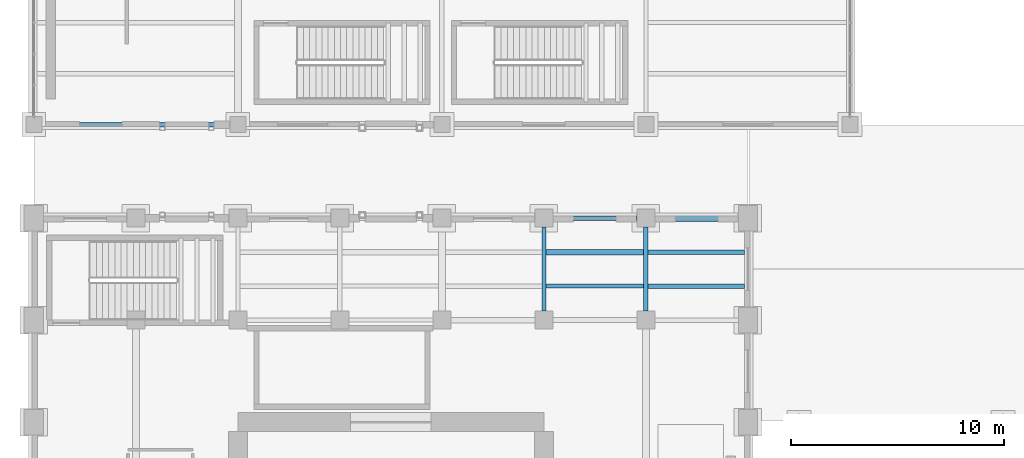
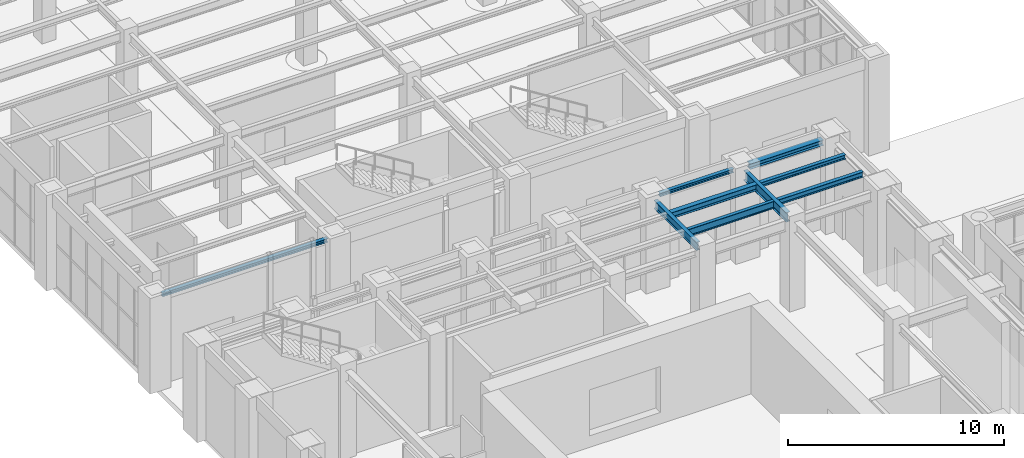
# One storey, part 58 of 164: 9 beams.
"""IFC4 building model written with IfcOpenShell, lengths in metres."""

from ifc_helpers import new_model, si_unit, direction, frame, origin, origin_2d, place, context, subcontext, project, spatial, i_section, extrude, material, material_profile, profile_set, type_object, element, save


model = new_model("IFC4")

# Units and contexts
model_context = context("Model", 3, precision=1e-05, world=origin(), true_north=direction((0.0, 1.0)))
body_context = subcontext(model_context, "Body", "Model", "MODEL_VIEW")
ifc_project = project(units=[si_unit("LENGTHUNIT", "METRE"), si_unit("AREAUNIT", "SQUARE_METRE"), si_unit("VOLUMEUNIT", "CUBIC_METRE"), si_unit("PLANEANGLEUNIT", "RADIAN"), si_unit("MASSUNIT", "GRAM", prefix="KILO")], contexts=[model_context])

# Site, building, storey
site_placement = place(None, origin())
site = spatial("IfcSite", under=ifc_project, at=site_placement, CompositionType="ELEMENT")
building_placement = place(site_placement, origin())
building = spatial("IfcBuilding", under=site, at=building_placement, Name="Mavantir Sound Aquarium", CompositionType="ELEMENT")
storey_placement = place(building_placement, origin())
storey = spatial("IfcBuildingStorey", under=building, at=storey_placement, Name="L00", CompositionType="ELEMENT", Elevation=0.0)

# Beams
ifc_material = material(Name="Structural Steel ASTM A992 Gr50", Category="steel")
ifc_material_profile_1 = material_profile(ifc_material, i_section(OverallWidth=0.202880859375, OverallDepth=0.202880859375, WebThickness=0.007080078125, FlangeThickness=0.010986328125, FilletRadius=0.010009765625, at=origin_2d()), Name="W200X46")
ifc_profile_set_1 = profile_set([ifc_material_profile_1], Name="Structural Steel ASTM A992 Gr50")
beam_type_1 = type_object("IfcBeamType", Name="BM-W200X46-E", PredefinedType="LINTEL", material=ifc_profile_set_1)
beam_1_placement = place(storey_placement, frame((24.425048828125, 79.199951171875, 4.89453125), z_axis=(1.0, 0.0, 0.0), x_axis=(0.0, 1.0, 0.0)))
element("IfcBeam", 1, at=beam_1_placement, inside=storey, type_object=beam_type_1, Name="L00 primary beam SL-20 832", PredefinedType="LINTEL", context=body_context, shape_type="SweptSolid", body=[
    extrude(i_section(OverallWidth=0.202880859375, OverallDepth=0.202880859375, WebThickness=0.007080078125, FlangeThickness=0.010986328125, FilletRadius=0.010009765625, at=origin_2d()), origin(), (0.0, 0.0, 1.0), 3.949951171875),
])
beam_2_placement = place(storey_placement, frame((0.375, 83.60009765625, 4.994384765625), z_axis=(1.0, 0.0, 0.0), x_axis=(0.0, 1.0, 0.0)))
element("IfcBeam", 2, at=beam_2_placement, inside=storey, type_object=beam_type_1, Name="L00 primary beam SL-20 1030", PredefinedType="LINTEL", context=body_context, shape_type="SweptSolid", body=[
    extrude(i_section(OverallWidth=0.202880859375, OverallDepth=0.202880859375, WebThickness=0.007080078125, FlangeThickness=0.010986328125, FilletRadius=0.010009765625, at=origin_2d()), origin(), (0.0, 0.0, 1.0), 8.85009765625),
])
ifc_material_profile_2 = material_profile(ifc_material, i_section(OverallWidth=0.202880859375, OverallDepth=0.251953125, WebThickness=0.008056640625, FlangeThickness=0.013427734375, FilletRadius=0.011962890625, at=origin_2d()), Name="W250X58")
ifc_profile_set_2 = profile_set([ifc_material_profile_2], Name="Structural Steel ASTM A992 Gr50")
beam_type_2 = type_object("IfcBeamType", Name="BM-W250X58-I", PredefinedType="JOIST", material=ifc_profile_set_2)
beam_3_placement = place(storey_placement, frame((28.906005859375, 77.60009765625, 4.8701171875), z_axis=(1.0, 0.0, 0.0), x_axis=(0.0, 1.0, 0.0)))
element("IfcBeam", 3, at=beam_3_placement, inside=storey, type_object=beam_type_2, Name="L00 secondary floor joist SJ-25 460", PredefinedType="JOIST", context=body_context, shape_type="SweptSolid", body=[
    extrude(i_section(OverallWidth=0.202880859375, OverallDepth=0.251953125, WebThickness=0.008056640625, FlangeThickness=0.013427734375, FilletRadius=0.011962890625, at=origin_2d()), origin(), (0.0, 0.0, 1.0), 4.54150390625),
])
ifc_material_profile_3 = material_profile(ifc_material, i_section(OverallWidth=0.205078125, OverallDepth=0.31005859375, WebThickness=0.009521484375, FlangeThickness=0.016357421875, FilletRadius=0.012939453125, at=origin_2d()), Name="W310X74")
ifc_profile_set_3 = profile_set([ifc_material_profile_3], Name="Structural Steel ASTM A992 Gr50")
beam_type_3 = type_object("IfcBeamType", Name="BM-W310X74-I", PredefinedType="JOIST", material=ifc_profile_set_3)
beam_4_placement = place(storey_placement, frame((28.906005859375, 76.0, 4.841064453125), z_axis=(1.0, 0.0, 0.0), x_axis=(0.0, 1.0, 0.0)))
element("IfcBeam", 4, at=beam_4_placement, inside=storey, type_object=beam_type_3, Name="L00 secondary floor joist SJ-31 459", PredefinedType="JOIST", context=body_context, shape_type="SweptSolid", body=[
    extrude(i_section(OverallWidth=0.205078125, OverallDepth=0.31005859375, WebThickness=0.009521484375, FlangeThickness=0.016357421875, FilletRadius=0.012939453125, at=origin_2d()), origin(), (0.0, 0.0, 1.0), 4.54150390625),
])
ifc_material_profile_4 = material_profile(ifc_material, i_section(OverallWidth=0.304931640625, OverallDepth=0.30810546875, WebThickness=0.010009765625, FlangeThickness=0.015380859375, FilletRadius=0.014892578125, at=origin_2d()), Name="W310X97")
ifc_profile_set_4 = profile_set([ifc_material_profile_4], Name="Structural Steel ASTM A992 Gr50")
beam_type_4 = type_object("IfcBeamType", Name="BM-W310X97-E", PredefinedType="SPANDREL", material=ifc_profile_set_4)
beam_5_placement = place(storey_placement, frame((29.22509765625, 79.199951171875, 4.842041015625), z_axis=(1.0, 0.0, 0.0), x_axis=(0.0, 1.0, 0.0)))
element("IfcBeam", 5, at=beam_5_placement, inside=storey, type_object=beam_type_4, Name="L00 primary beam SS-31A 833", PredefinedType="SPANDREL", context=body_context, shape_type="SweptSolid", body=[
    extrude(i_section(OverallWidth=0.304931640625, OverallDepth=0.30810546875, WebThickness=0.010009765625, FlangeThickness=0.015380859375, FilletRadius=0.014892578125, at=origin_2d()), origin(), (0.0, 0.0, 1.0), 3.9248046875),
])
ifc_material_profile_5 = material_profile(ifc_material, i_section(OverallWidth=0.25390625, OverallDepth=0.35302734375, WebThickness=0.009521484375, FlangeThickness=0.016357421875, FilletRadius=0.014892578125, at=origin_2d()), Name="W360X91")
ifc_profile_set_5 = profile_set([ifc_material_profile_5], Name="Structural Steel ASTM A992 Gr50")
beam_type_5 = type_object("IfcBeamType", Name="BM-W360X91-I", PredefinedType="JOIST", material=ifc_profile_set_5)
beam_6_placement = place(storey_placement, frame((24.096923828125, 77.60009765625, 4.819580078125), z_axis=(1.0, 0.0, 0.0), x_axis=(0.0, 1.0, 0.0)))
element("IfcBeam", 6, at=beam_6_placement, inside=storey, type_object=beam_type_5, Name="L00 secondary floor joist SJ-36 458", PredefinedType="JOIST", context=body_context, shape_type="SweptSolid", body=[
    extrude(i_section(OverallWidth=0.25390625, OverallDepth=0.35302734375, WebThickness=0.009521484375, FlangeThickness=0.016357421875, FilletRadius=0.014892578125, at=origin_2d()), origin(), (0.0, 0.0, 1.0), 4.59716796875),
])
ifc_material_profile_6 = material_profile(ifc_material, i_section(OverallWidth=0.180908203125, OverallDepth=0.4169921875, WebThickness=0.010986328125, FlangeThickness=0.018310546875, FilletRadius=0.014892578125, at=origin_2d()), Name="W410X85")
ifc_profile_set_6 = profile_set([ifc_material_profile_6], Name="Structural Steel ASTM A992 Gr50")
beam_type_6 = type_object("IfcBeamType", Name="BM-W410X85-I", PredefinedType="JOIST", material=ifc_profile_set_6)
beam_7_placement = place(storey_placement, frame((24.096923828125, 76.0, 4.78759765625), z_axis=(1.0, 0.0, 0.0), x_axis=(0.0, 1.0, 0.0)))
element("IfcBeam", 7, at=beam_7_placement, inside=storey, type_object=beam_type_6, Name="L00 secondary floor joist SJ-41 457", PredefinedType="JOIST", context=body_context, shape_type="SweptSolid", body=[
    extrude(i_section(OverallWidth=0.180908203125, OverallDepth=0.4169921875, WebThickness=0.010986328125, FlangeThickness=0.018310546875, FilletRadius=0.014892578125, at=origin_2d()), origin(), (0.0, 0.0, 1.0), 4.59716796875),
])
ifc_material_profile_7 = material_profile(ifc_material, i_section(OverallWidth=0.194091796875, OverallDepth=0.468994140625, WebThickness=0.0126953125, FlangeThickness=0.0205078125, FilletRadius=0.01611328125, at=origin_2d()), Name="W460X106")
ifc_profile_set_7 = profile_set([ifc_material_profile_7], Name="Structural Steel ASTM A992 Gr50")
beam_type_7 = type_object("IfcBeamType", Name="BM-W460X106-I", PredefinedType="BEAM", material=ifc_profile_set_7)
beam_8_placement = place(storey_placement, frame((24.0, 74.824951171875, 4.761474609375), z_axis=(0.0, 1.0, 0.0), x_axis=(-1.0, 0.0, 0.0)))
element("IfcBeam", 8, at=beam_8_placement, inside=storey, type_object=beam_type_7, Name="L00 primary girder SB-46 852", PredefinedType="BEAM", context=body_context, shape_type="SweptSolid", body=[
    extrude(i_section(OverallWidth=0.194091796875, OverallDepth=0.468994140625, WebThickness=0.0126953125, FlangeThickness=0.0205078125, FilletRadius=0.01611328125, at=origin_2d()), origin(), (0.0, 0.0, 1.0), 3.949951171875),
])
ifc_material_profile_8 = material_profile(ifc_material, i_section(OverallWidth=0.2119140625, OverallDepth=0.5439453125, WebThickness=0.01318359375, FlangeThickness=0.021240234375, FilletRadius=0.01806640625, at=origin_2d()), Name="W530X123")
ifc_profile_set_8 = profile_set([ifc_material_profile_8], Name="Structural Steel ASTM A992 Gr50")
beam_type_8 = type_object("IfcBeamType", Name="BM-W530X123-I", PredefinedType="BEAM", material=ifc_profile_set_8)
beam_9_placement = place(storey_placement, frame((28.800048828125, 74.824951171875, 4.72412109375), z_axis=(0.0, 1.0, 0.0), x_axis=(-1.0, 0.0, 0.0)))
element("IfcBeam", 9, at=beam_9_placement, inside=storey, type_object=beam_type_8, Name="L00 primary girder SB-53 857", PredefinedType="BEAM", context=body_context, shape_type="SweptSolid", body=[
    extrude(i_section(OverallWidth=0.2119140625, OverallDepth=0.5439453125, WebThickness=0.01318359375, FlangeThickness=0.021240234375, FilletRadius=0.01806640625, at=origin_2d()), origin(), (0.0, 0.0, 1.0), 3.949951171875),
])

save(model, "model.ifc")
